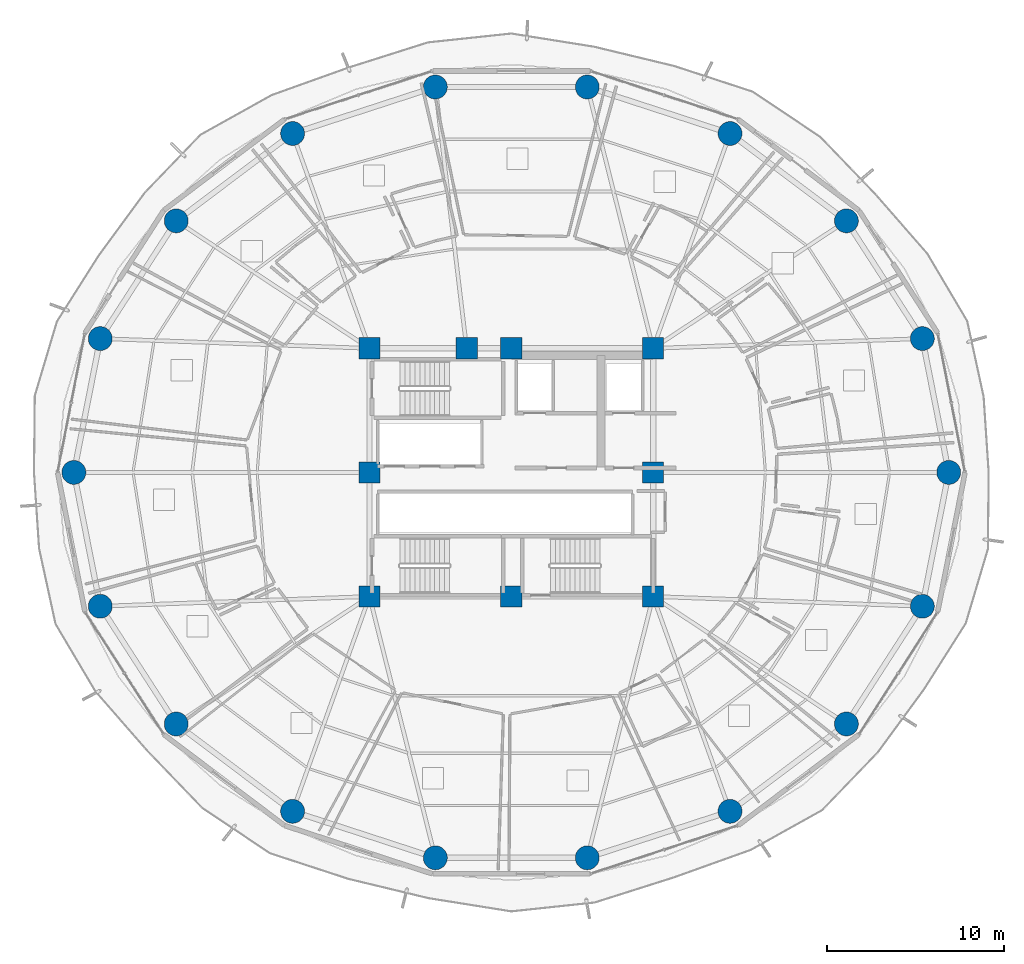
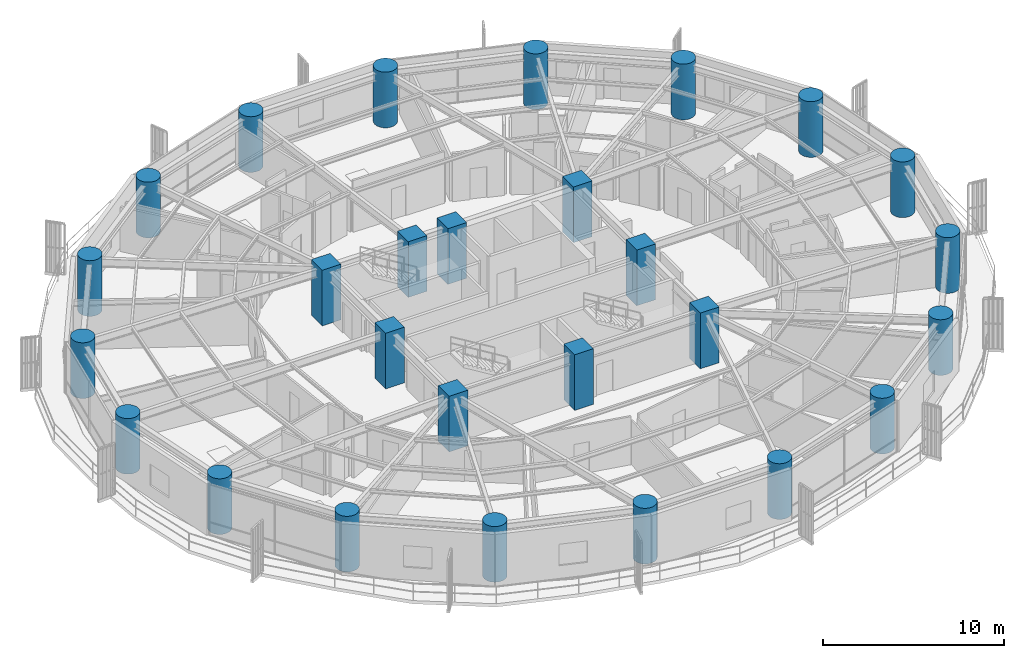
# One storey, part 1 of 36: 27 columns.
"""IFC4 building model written with IfcOpenShell, lengths in metres."""

from ifc_helpers import new_model, si_unit, direction, frame, origin, origin_2d, place, context, subcontext, project, spatial, rectangle, circle, extrude, material, material_profile, profile_set, type_object, element, save


model = new_model("IFC4")

# Units and contexts
model_context = context("Model", 3, precision=1e-05, world=origin(), true_north=direction((0.0, 1.0)))
body_context = subcontext(model_context, "Body", "Model", "MODEL_VIEW")
ifc_project = project(units=[si_unit("LENGTHUNIT", "METRE"), si_unit("AREAUNIT", "SQUARE_METRE"), si_unit("VOLUMEUNIT", "CUBIC_METRE"), si_unit("PLANEANGLEUNIT", "RADIAN"), si_unit("MASSUNIT", "GRAM", prefix="KILO")], contexts=[model_context])

# Site, building, storey
site_placement = place(None, origin())
site = spatial("IfcSite", under=ifc_project, at=site_placement, CompositionType="ELEMENT")
building_placement = place(site_placement, origin())
building = spatial("IfcBuilding", under=site, at=building_placement, Name="Kelanora Arch Commons", CompositionType="ELEMENT")
storey_placement = place(building_placement, frame((0.0, 0.0, 102.60009765625)))
storey = spatial("IfcBuildingStorey", under=building, at=storey_placement, Name="L26", CompositionType="ELEMENT", Elevation=102.60009765625)

# Columns
ifc_material = material(Name="Concrete C60/75", Category="concrete")
ifc_material_profile_1 = material_profile(ifc_material, circle(Radius=0.675048828125, at=origin_2d()), Name="RCC1350")
ifc_profile_set_1 = profile_set([ifc_material_profile_1], Name="Concrete C60/75")
column_type_1 = type_object("IfcColumnType", Name="COL-PERIM-Z2", PredefinedType="COLUMN", material=ifc_profile_set_1)
for number, where, z_axis, x_axis, name in (
    (1, (98.679931640625, 58.0, 0.0), (0.0, 0.0, 1.0), (1.0, 0.0, 0.0), "Perimeter Ring Column CP-00 L26"),
    (2, (97.191650390625, 65.5517578125, 0.0), (0.0, 0.0, 1.0), (1.0, 0.0, 0.0), "Perimeter Ring Column CP-02 L26"),
    (3, (92.906005859375, 72.19287109375, 0.0), (0.0, 0.0, 1.0), (1.0, 0.0, 0.0), "Perimeter Ring Column CP-04 L26"),
    (4, (86.340087890625, 77.121826171875, 0.0), (0.0, 0.0, 1.0), (1.0, 0.0, 0.0), "Perimeter Ring Column CP-06 L26"),
    (5, (78.28564453125, 79.74462890625, 0.0), (0.0, 0.0, 1.0), (1.0, 0.0, 0.0), "Perimeter Ring Column CP-08 L26"),
    (6, (69.71435546875, 79.74462890625, 0.0), (0.0, 0.0, 1.0), (1.0, 0.0, 0.0), "Perimeter Ring Column CP-10 L26"),
    (7, (61.659912109375, 77.121826171875, 0.0), (0.0, 0.0, 1.0), (1.0, 0.0, 0.0), "Perimeter Ring Column CP-12 L26"),
    (8, (55.093994140625, 72.19287109375, 0.0), (0.0, 0.0, 1.0), (1.0, 0.0, 0.0), "Perimeter Ring Column CP-14 L26"),
    (9, (50.808349609375, 65.5517578125, 0.0), (0.0, 0.0, 1.0), (1.0, 0.0, 0.0), "Perimeter Ring Column CP-16 L26"),
    (10, (49.320068359375, 58.0, 0.0), (0.0, 0.0, 1.0), (1.0, 0.0, 0.0), "Perimeter Ring Column CP-18 L26"),
    (11, (50.808349609375, 50.4482421875, 0.0), (0.0, 0.0, 1.0), (1.0, 0.0, 0.0), "Perimeter Ring Column CP-20 L26"),
    (12, (55.093994140625, 43.80712890625, 0.0), (0.0, 0.0, 1.0), (1.0, 0.0, 0.0), "Perimeter Ring Column CP-22 L26"),
    (13, (61.659912109375, 38.878173828125, 0.0), (0.0, 0.0, 1.0), (1.0, 0.0, 0.0), "Perimeter Ring Column CP-24 L26"),
    (14, (69.71435546875, 36.25537109375, 0.0), (0.0, 0.0, 1.0), (1.0, 0.0, 0.0), "Perimeter Ring Column CP-26 L26"),
    (15, (78.28564453125, 36.25537109375, 0.0), (0.0, 0.0, 1.0), (1.0, 0.0, 0.0), "Perimeter Ring Column CP-28 L26"),
    (16, (86.340087890625, 38.878173828125, 0.0), (0.0, 0.0, 1.0), (1.0, 0.0, 0.0), "Perimeter Ring Column CP-30 L26"),
    (17, (92.906005859375, 43.80712890625, 0.0), (0.0, 0.0, 1.0), (1.0, 0.0, 0.0), "Perimeter Ring Column CP-32 L26"),
    (18, (97.191650390625, 50.4482421875, 0.0), (0.0, 0.0, 1.0), (1.0, 0.0, 0.0), "Perimeter Ring Column CP-34 L26"),
):
    element("IfcColumn", number, at=place(storey_placement, frame(where, z_axis=z_axis, x_axis=x_axis)), inside=storey, type_object=column_type_1, Name=name, PredefinedType="COLUMN", context=body_context, shape_type="SweptSolid", body=[
        extrude(circle(Radius=0.675048828125, at=origin_2d()), origin(), (0.0, 0.0, 1.0), 3.75),
    ])
ifc_material_profile_2 = material_profile(ifc_material, rectangle(XDim=1.199951171875, YDim=1.199951171875, at=origin_2d()), Name="RC1200x1200")
ifc_profile_set_2 = profile_set([ifc_material_profile_2], Name="Concrete C60/75")
column_type_2 = type_object("IfcColumnType", Name="COL-PIL-MID", PredefinedType="PILASTER", material=ifc_profile_set_2)
for number, where, z_axis, x_axis, name in (
    (19, (66.0, 51.0, 0.0), (0.0, 0.0, 1.0), (1.0, 0.0, 0.0), "Core Pilaster Column CP1 L26"),
    (20, (74.0, 51.0, 0.0), (0.0, 0.0, 1.0), (1.0, 0.0, 0.0), "Core Pilaster Column CP2 L26"),
    (21, (82.0, 51.0, 0.0), (0.0, 0.0, 1.0), (1.0, 0.0, 0.0), "Core Pilaster Column CP3 L26"),
    (22, (82.0, 58.0, 0.0), (0.0, 0.0, 1.0), (1.0, 0.0, 0.0), "Core Pilaster Column CP4 L26"),
    (23, (82.0, 65.0, 0.0), (0.0, 0.0, 1.0), (1.0, 0.0, 0.0), "Core Pilaster Column CP5 L26"),
    (24, (74.0, 65.0, 0.0), (0.0, 0.0, 1.0), (1.0, 0.0, 0.0), "Core Pilaster Column CP6 L26"),
    (25, (71.47998046875, 65.0, 0.0), (0.0, 0.0, 1.0), (1.0, 0.0, 0.0), "Core Pilaster Column CP9 L26"),
    (26, (66.0, 65.0, 0.0), (0.0, 0.0, 1.0), (1.0, 0.0, 0.0), "Core Pilaster Column CP7 L26"),
    (27, (66.0, 58.0, 0.0), (0.0, 0.0, 1.0), (1.0, 0.0, 0.0), "Core Pilaster Column CP8 L26"),
):
    element("IfcColumn", number, at=place(storey_placement, frame(where, z_axis=z_axis, x_axis=x_axis)), inside=storey, type_object=column_type_2, Name=name, PredefinedType="PILASTER", context=body_context, shape_type="SweptSolid", body=[
        extrude(rectangle(XDim=1.199951171875, YDim=1.199951171875, at=origin_2d()), origin(), (0.0, 0.0, 1.0), 3.75),
    ])

save(model, "model.ifc")
